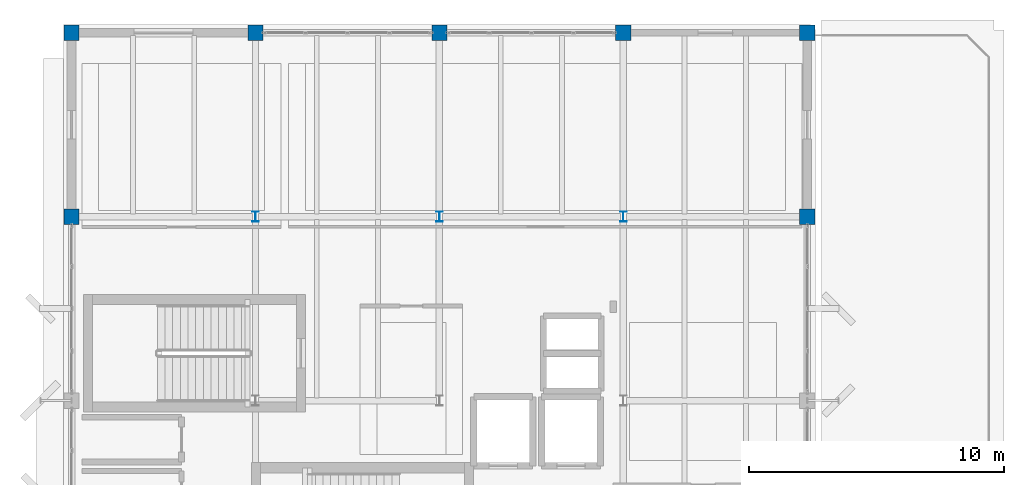
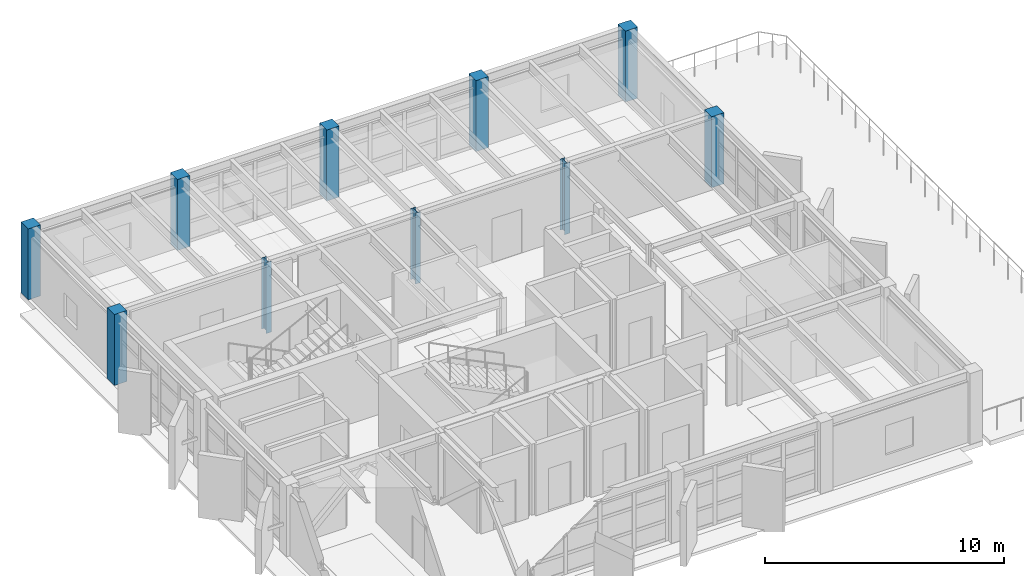
# One storey, part 2 of 19: 10 columns.
"""IFC4 building model written with IfcOpenShell, lengths in metres."""

import ifcopenshell
import ifcopenshell.guid

model = None  # the IFC model being written
_history = None  # IfcOwnerHistory: only IFC2X3 demands one
_inside = {}  # id of a spatial element -> (the spatial element, [elements in it])
_under = {}  # id of a project, library or spatial element -> (it, [spatial elements below it])
_declared = {}  # id of a project -> (the project, [libraries it declares])
_typed = {}  # id of a type object -> (the type object, [elements of that type])
_made_of = {}  # id of a material, layer set ... -> (it, [elements and type objects made of it])


def new_model(schema):
    """Start an empty IFC model of exactly this schema.

    Asked for "IFC4X3", IfcOpenShell would pick the latest addendum, in which some entities
    have other attributes; the version numbers below select the first issue.
    IFC2X3 requires an IfcOwnerHistory on every rooted entity: one is made here for all.
    """
    global model, _history
    if schema == "IFC4X3":
        model = ifcopenshell.file(schema_version=(4, 3, 0, 0))
    else:
        model = ifcopenshell.file(schema=schema)
    _inside.clear()
    _under.clear()
    _declared.clear()
    _typed.clear()
    _made_of.clear()
    _history = None
    if model.schema == "IFC2X3":
        org = make("IfcOrganization", Name="unknown")
        user = make(
            "IfcPersonAndOrganization",
            ThePerson=make("IfcPerson", FamilyName="unknown"),
            TheOrganization=org,
        )
        app = make(
            "IfcApplication",
            ApplicationDeveloper=org,
            Version="unknown",
            ApplicationFullName="unknown",
            ApplicationIdentifier="unknown",
        )
        _history = make(
            "IfcOwnerHistory",
            OwningUser=user,
            OwningApplication=app,
            ChangeAction="ADDED",
            CreationDate=0,
        )
    return model


def make(cls, **values):
    """One entity of the class cls with the attributes given. An attribute that is None is left unset."""
    return model.create_entity(
        cls, **{name: value for name, value in values.items() if value is not None}
    )


def rooted(cls, **values):
    """An entity with a GlobalId (a new one), such as an element, a storey or a relation."""
    return make(cls, GlobalId=ifcopenshell.guid.new(), OwnerHistory=_history, **values)


def si_unit(unit_type, name, prefix=None):
    """IfcSIUnit, for example si_unit("LENGTHUNIT", "METRE", prefix="MILLI")."""
    return make("IfcSIUnit", UnitType=unit_type, Prefix=prefix, Name=name)


def assignment(units):
    """IfcUnitAssignment: the units of a project."""
    return None if units is None else make("IfcUnitAssignment", Units=units)


def point(xyz):
    """IfcCartesianPoint."""
    return None if xyz is None else make("IfcCartesianPoint", Coordinates=xyz)


def direction(xyz):
    """IfcDirection."""
    return None if xyz is None else make("IfcDirection", DirectionRatios=xyz)


def frame(location, z_axis=None, x_axis=None):
    """IfcAxis2Placement3D, a coordinate frame: its origin and axes. An axis left out is left unset."""
    return make(
        "IfcAxis2Placement3D",
        Location=point(location),
        Axis=direction(z_axis),
        RefDirection=direction(x_axis),
    )


def frame_2d(location, x_axis=None):
    """IfcAxis2Placement2D, a coordinate frame in the plane: its origin and x axis."""
    return make(
        "IfcAxis2Placement2D", Location=point(location), RefDirection=direction(x_axis)
    )


def origin():
    """The frame at (0, 0, 0) with its axes left unset."""
    return frame((0.0, 0.0, 0.0))


def origin_2d():
    """The frame at (0, 0) in the plane with its x axis left unset."""
    return frame_2d((0.0, 0.0))


def place(relative_to, where):
    """IfcLocalPlacement: puts the frame where relative to a parent placement (None: the world)."""
    return make(
        "IfcLocalPlacement", PlacementRelTo=relative_to, RelativePlacement=where
    )


def context(
    kind, dimensions, precision=None, world=None, true_north=None, identifier=None
):
    """IfcGeometricRepresentationContext, for example the 3D "Model" context."""
    return make(
        "IfcGeometricRepresentationContext",
        ContextIdentifier=identifier,
        ContextType=kind,
        CoordinateSpaceDimension=dimensions,
        Precision=precision,
        WorldCoordinateSystem=world,
        TrueNorth=true_north,
    )


def subcontext(parent, identifier, kind, view, scale=None):
    """IfcGeometricRepresentationSubContext, for example "Body" below "Model"."""
    return make(
        "IfcGeometricRepresentationSubContext",
        ContextIdentifier=identifier,
        ContextType=kind,
        ParentContext=parent,
        TargetScale=scale,
        TargetView=view,
    )


def project(units=None, contexts=None):
    """IfcProject with its units and contexts."""
    return rooted(
        "IfcProject",
        Name="project",
        RepresentationContexts=contexts,
        UnitsInContext=assignment(units),
    )


def spatial(cls, under=None, at=None, **own):
    """A site, building, storey or space (cls), placed at a placement, below another one or the project."""
    s = rooted(cls, ObjectPlacement=at, **own)
    if under is not None:
        _under.setdefault(under.id(), (under, []))[1].append(s)
    return s


def profile(cls, at=None, kind="AREA", **sizes):
    """A parametric profile (cls). Its sizes go by their IFC names, for example OverallWidth=200.0."""
    return make(cls, ProfileType=kind, Position=at, **sizes)


def rectangle(**sizes):
    """IfcRectangleProfileDef."""
    return profile("IfcRectangleProfileDef", **sizes)


def i_section(**sizes):
    """IfcIShapeProfileDef."""
    return profile("IfcIShapeProfileDef", **sizes)


def extrude(swept, where, along, depth):
    """IfcExtrudedAreaSolid: the profile swept, set in the frame where, extruded along a direction by depth."""
    return make(
        "IfcExtrudedAreaSolid",
        SweptArea=swept,
        Position=where,
        ExtrudedDirection=direction(along),
        Depth=depth,
    )


def shape(context_of_items, identifier, shape_type, items):
    """IfcShapeRepresentation: the items that make up one representation, for example the "Body"."""
    return make(
        "IfcShapeRepresentation",
        ContextOfItems=context_of_items,
        RepresentationIdentifier=identifier,
        RepresentationType=shape_type,
        Items=items,
    )


def material(Name=None, Category=None):
    """IfcMaterial."""
    return make("IfcMaterial", Name=Name, Category=Category)


def material_profile(
    of_material, cross_section, Name=None, Category=None, Priority=None
):
    """IfcMaterialProfile: a cross section and its material."""
    return make(
        "IfcMaterialProfile",
        Name=Name,
        Material=of_material,
        Profile=cross_section,
        Priority=Priority,
        Category=Category,
    )


def profile_set(profiles, Name=None, composite=None):
    """IfcMaterialProfileSet."""
    return make(
        "IfcMaterialProfileSet",
        Name=Name,
        MaterialProfiles=profiles,
        CompositeProfile=composite,
    )


def made_of(thing, what):
    """Note that an element or type object is made of a material, layer set ...; save() writes the relation."""
    if what is not None:
        _made_of.setdefault(what.id(), (what, []))[1].append(thing)
    return thing


def type_object(cls, material=None, **own):
    """A type object (cls), such as IfcWallType, which elements share."""
    return made_of(rooted(cls, **own), material)


def element(
    cls,
    number,
    at=None,
    inside=None,
    cuts=None,
    type_object=None,
    material=None,
    context=None,
    identifier="Body",
    shape_type=None,
    held_by="IfcProductDefinitionShape",
    body=None,
    shapes=None,
    **own,
):
    """One element of the class cls, such as IfcWall. Its Tag is "e" and its number.

    at: its placement. inside: the storey or other place that contains it. cuts: it is an
    opening in that element (IfcRelVoidsElement). A single representation is given by context,
    identifier, shape_type and body (its items); several are given by shapes. held_by: the class
    of the entity that holds the representations. save() writes the other relations.
    """
    e = rooted(cls, Tag="e%d" % number, ObjectPlacement=at, **own)
    if body is not None:
        shapes = [shape(context, identifier, shape_type, body)]
    if shapes is not None:
        e.Representation = make(held_by, Representations=shapes)
    if inside is not None:
        _inside.setdefault(inside.id(), (inside, []))[1].append(e)
    if cuts is not None:
        rooted(
            "IfcRelVoidsElement", RelatingBuildingElement=cuts, RelatedOpeningElement=e
        )
    if type_object is not None:
        _typed.setdefault(type_object.id(), (type_object, []))[1].append(e)
    return made_of(e, material)


def aggregate(whole, parts):
    """IfcRelAggregates: a whole, such as a stair, and the parts it consists of."""
    return rooted("IfcRelAggregates", RelatingObject=whole, RelatedObjects=parts)


def save(model, path):
    """Write the relations noted so far, then the file.

    IfcRelAggregates (storeys below a building ...), IfcRelContainedInSpatialStructure (elements
    in a storey), IfcRelDefinesByType, IfcRelAssociatesMaterial and IfcRelDeclares: one each for
    every whole, place, type object, material and project.
    """
    for whole, parts in _under.values():
        aggregate(whole, parts)
    for where, things in _inside.values():
        rooted(
            "IfcRelContainedInSpatialStructure",
            RelatedElements=things,
            RelatingStructure=where,
        )
    for kind, things in _typed.values():
        rooted("IfcRelDefinesByType", RelatedObjects=things, RelatingType=kind)
    for what, things in _made_of.values():
        rooted("IfcRelAssociatesMaterial", RelatedObjects=things, RelatingMaterial=what)
    for by, libraries in _declared.values():
        rooted("IfcRelDeclares", RelatingContext=by, RelatedDefinitions=libraries)
    model.write(path)


model = new_model("IFC4")

# Units and contexts
model_context = context("Model", 3, precision=1e-05, world=origin(), true_north=direction((0.0, 1.0)))
body_context = subcontext(model_context, "Body", "Model", "MODEL_VIEW")
ifc_project = project(units=[si_unit("LENGTHUNIT", "METRE"), si_unit("AREAUNIT", "SQUARE_METRE"), si_unit("VOLUMEUNIT", "CUBIC_METRE"), si_unit("PLANEANGLEUNIT", "RADIAN"), si_unit("MASSUNIT", "GRAM", prefix="KILO")], contexts=[model_context])

# Site, building, storey
site_placement = place(None, origin())
site = spatial("IfcSite", under=ifc_project, at=site_placement, CompositionType="ELEMENT")
building_placement = place(site_placement, origin())
building = spatial("IfcBuilding", under=site, at=building_placement, Name="Kandorven Conservatory and Botanical Research Centre", CompositionType="ELEMENT")
storey_placement = place(building_placement, frame((0.0, 0.0, 28.800048828125)))
storey = spatial("IfcBuildingStorey", under=building, at=storey_placement, Name="L07", CompositionType="ELEMENT", Elevation=28.800048828125)

# Columns
ifc_material_1 = material(Name="Steel S355 (IS 2062 E350)", Category="steel")
ifc_material_profile_1 = material_profile(ifc_material_1, i_section(OverallWidth=0.25, OverallDepth=0.39990234375, WebThickness=0.010498046875, FlangeThickness=0.0126953125, at=origin_2d()))
ifc_profile_set_1 = profile_set([ifc_material_profile_1], Name="Steel S355 (IS 2062 E350)")
column_type_1 = type_object("IfcColumnType", Name="Col_SC-02", PredefinedType="COLUMN", material=ifc_profile_set_1)
for number, where, z_axis, x_axis, name in (
    (1, (13.199951171875, 27.60009765625, 0.0), (0.0, 0.0, 1.0), (1.0, 0.0, 0.0), "Column SC-02 TWR L07 (2,4)"),
    (2, (20.39990234375, 27.60009765625, 0.0), (0.0, 0.0, 1.0), (1.0, 0.0, 0.0), "Column SC-02 TWR L07 (3,4)"),
    (3, (27.60009765625, 27.60009765625, 0.0), (0.0, 0.0, 1.0), (1.0, 0.0, 0.0), "Column SC-02 TWR L07 (4,4)"),
):
    element("IfcColumn", number, at=place(storey_placement, frame(where, z_axis=z_axis, x_axis=x_axis)), inside=storey, type_object=column_type_1, Name=name, PredefinedType="COLUMN", context=body_context, shape_type="SweptSolid", body=[
        extrude(i_section(OverallWidth=0.25, OverallDepth=0.39990234375, WebThickness=0.010498046875, FlangeThickness=0.0126953125, at=origin_2d()), origin(), (0.0, 0.0, 1.0), 3.619873046875),
    ])
ifc_material_2 = material(Name="Concrete C40/50 (M50)", Category="concrete")
ifc_material_profile_2 = material_profile(ifc_material_2, rectangle(XDim=0.60009765625, YDim=0.60009765625, at=origin_2d()))
ifc_profile_set_2 = profile_set([ifc_material_profile_2], Name="Concrete C40/50 (M50)")
column_type_2 = type_object("IfcColumnType", Name="Col_TC-04", PredefinedType="COLUMN", material=ifc_profile_set_2)
for number, where, z_axis, x_axis, name in (
    (4, (6.0, 27.60009765625, 0.0), (0.0, 0.0, 1.0), (1.0, 0.0, 0.0), "Column TC-04 TWR L07 (1,4)"),
    (5, (6.0, 34.800048828125, 0.0), (0.0, 0.0, 1.0), (1.0, 0.0, 0.0), "Column TC-04 TWR L07 (1,5)"),
    (6, (13.199951171875, 34.800048828125, 0.0), (0.0, 0.0, 1.0), (1.0, 0.0, 0.0), "Column TC-04 TWR L07 (2,5)"),
    (7, (20.39990234375, 34.800048828125, 0.0), (0.0, 0.0, 1.0), (1.0, 0.0, 0.0), "Column TC-04 TWR L07 (3,5)"),
    (8, (27.60009765625, 34.800048828125, 0.0), (0.0, 0.0, 1.0), (1.0, 0.0, 0.0), "Column TC-04 TWR L07 (4,5)"),
    (9, (34.800048828125, 27.60009765625, 0.0), (0.0, 0.0, 1.0), (1.0, 0.0, 0.0), "Column TC-04 TWR L07 (5,4)"),
    (10, (34.800048828125, 34.800048828125, 0.0), (0.0, 0.0, 1.0), (1.0, 0.0, 0.0), "Column TC-04 TWR L07 (5,5)"),
):
    element("IfcColumn", number, at=place(storey_placement, frame(where, z_axis=z_axis, x_axis=x_axis)), inside=storey, type_object=column_type_2, Name=name, PredefinedType="COLUMN", context=body_context, shape_type="SweptSolid", body=[
        extrude(rectangle(XDim=0.60009765625, YDim=0.60009765625, at=origin_2d()), origin(), (0.0, 0.0, 1.0), 3.619873046875),
    ])

save(model, "model.ifc")
